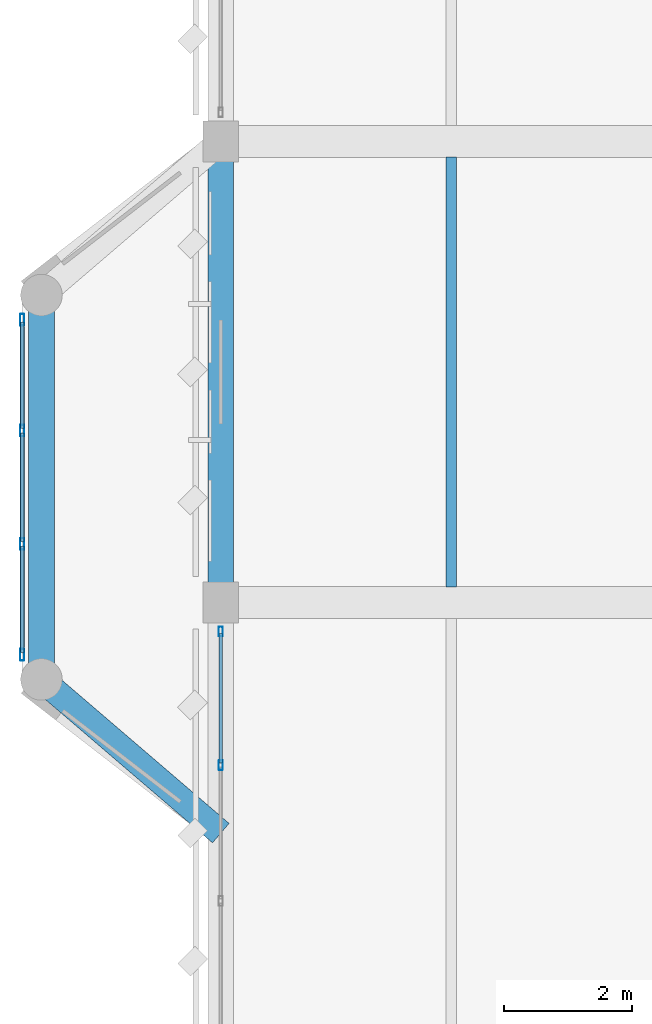
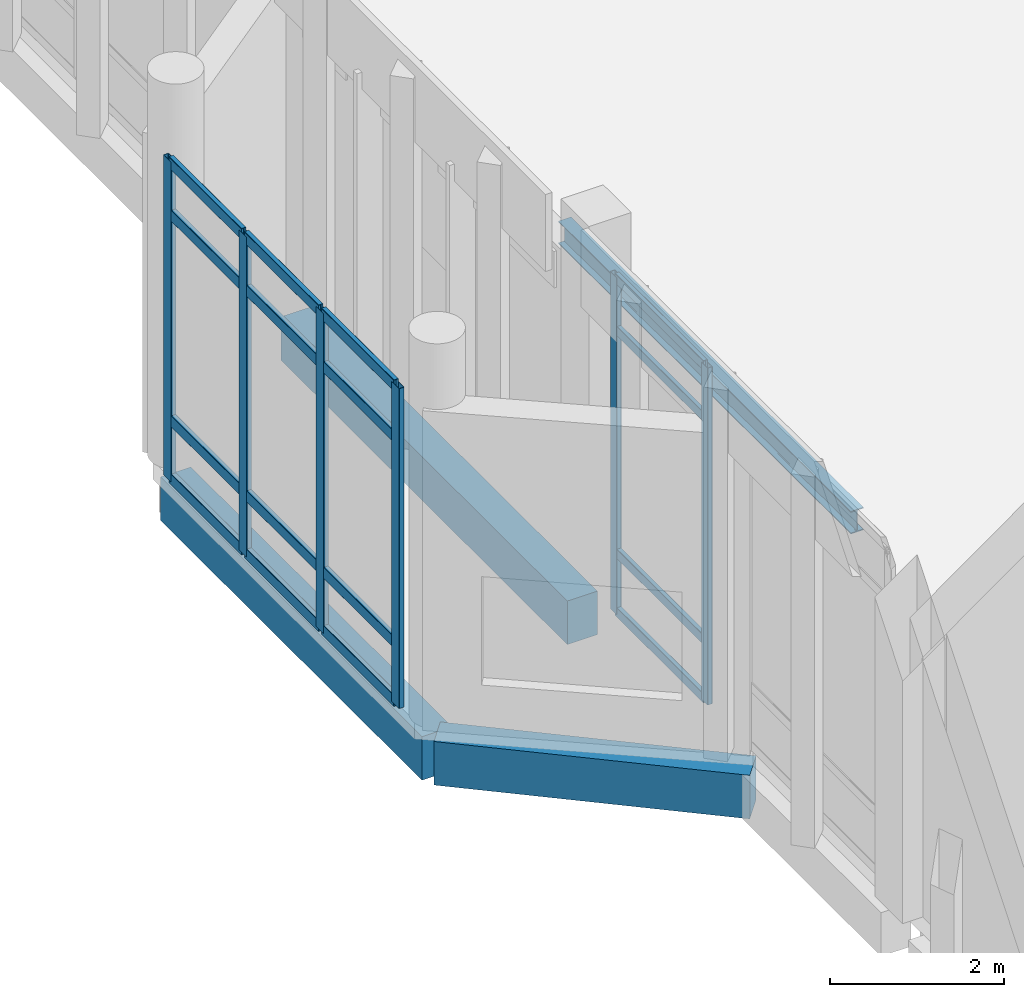
# One storey, part 58 of 180: 22 members, 4 beams, 2 elements without a shape of their own.
"""IFC4 building model written with IfcOpenShell, lengths in metres."""

from ifc_helpers import new_model, si_unit, direction, frame, origin, origin_2d, place, context, subcontext, project, spatial, rectangle, hollow_rectangle, i_section, extrude, material, material_profile, profile_set, type_object, element, aggregate, save


model = new_model("IFC4")

# Units and contexts
model_context = context("Model", 3, precision=1e-05, world=origin(), true_north=direction((0.0, 1.0)))
body_context = subcontext(model_context, "Body", "Model", "MODEL_VIEW")
ifc_project = project(units=[si_unit("LENGTHUNIT", "METRE"), si_unit("AREAUNIT", "SQUARE_METRE"), si_unit("VOLUMEUNIT", "CUBIC_METRE"), si_unit("PLANEANGLEUNIT", "RADIAN"), si_unit("MASSUNIT", "GRAM", prefix="KILO")], contexts=[model_context])

# Site, building, storey
site_placement = place(None, origin())
site = spatial("IfcSite", under=ifc_project, at=site_placement, CompositionType="ELEMENT")
building_placement = place(site_placement, origin())
building = spatial("IfcBuilding", under=site, at=building_placement, Name="Lusvemor Sports Hall", CompositionType="ELEMENT")
storey_placement = place(building_placement, frame((0.0, 0.0, 5.39990234375)))
storey = spatial("IfcBuildingStorey", under=building, at=storey_placement, Name="L01", CompositionType="ELEMENT", Elevation=5.39990234375)

# Curtain wall, members
ifc_material_1 = material(Name="Thermally broken bronze-anodized aluminium", Category="aluminium")
curtain_wall_type_1 = type_object("IfcCurtainWallType", Name="CW_FOYER_A", PredefinedType="NOTDEFINED", material=ifc_material_1)
curtain_wall_1_placement = place(storey_placement, origin())
curtain_wall_1 = element("IfcCurtainWall", 1, at=curtain_wall_1_placement, inside=storey, type_object=curtain_wall_type_1, Name="Curtain Wall CW-BOW-W2-L01-M", PredefinedType="NOTDEFINED")
ifc_material_2 = material(Name="Thermally broken bronze-anodized aluminium", Category="aluminium")
ifc_material_profile_1 = material_profile(ifc_material_2, hollow_rectangle(XDim=0.070068359375, YDim=0.179931640625, WallThickness=0.0048828125, InnerFilletRadius=0.0048828125, OuterFilletRadius=0.010009765625, at=origin_2d()), Name="CWMUL180x70x5")
ifc_profile_set_1 = profile_set([ifc_material_profile_1], Name="Thermally broken bronze-anodized aluminium")
member_type_1 = type_object("IfcMemberType", Name="CW_MUL_A", PredefinedType="MULLION", material=ifc_profile_set_1)
member_1_placement = place(storey_placement, frame((-3.10009765625, 81.985107421875, 0.0), z_axis=(0.0, 0.0, 1.0), x_axis=(-1.0, 0.0, 0.0)))
member_1 = element("IfcMember", 2, at=member_1_placement, type_object=member_type_1, Name="CW01 mullion 1", PredefinedType="MULLION", context=body_context, shape_type="SweptSolid", body=[
    extrude(hollow_rectangle(XDim=0.070068359375, YDim=0.179931640625, WallThickness=0.0048828125, InnerFilletRadius=0.0048828125, OuterFilletRadius=0.010009765625, at=origin_2d()), origin(), (0.0, 0.0, 1.0), 4.47998046875),
])
member_2_placement = place(storey_placement, frame((-3.10009765625, 83.716552734375, 0.0), z_axis=(0.0, 0.0, 1.0), x_axis=(-1.0, 0.0, 0.0)))
member_2 = element("IfcMember", 3, at=member_2_placement, type_object=member_type_1, Name="CW01 mullion 2", PredefinedType="MULLION", context=body_context, shape_type="SweptSolid", body=[
    extrude(hollow_rectangle(XDim=0.070068359375, YDim=0.179931640625, WallThickness=0.0048828125, InnerFilletRadius=0.0048828125, OuterFilletRadius=0.010009765625, at=origin_2d()), origin(), (0.0, 0.0, 1.0), 4.47998046875),
])
member_3_placement = place(storey_placement, frame((-3.10009765625, 85.4833984375, 0.0), z_axis=(0.0, 0.0, 1.0), x_axis=(-1.0, 0.0, 0.0)))
member_3 = element("IfcMember", 4, at=member_3_placement, type_object=member_type_1, Name="CW01 mullion 3", PredefinedType="MULLION", context=body_context, shape_type="SweptSolid", body=[
    extrude(hollow_rectangle(XDim=0.070068359375, YDim=0.179931640625, WallThickness=0.0048828125, InnerFilletRadius=0.0048828125, OuterFilletRadius=0.010009765625, at=origin_2d()), origin(), (0.0, 0.0, 1.0), 4.47998046875),
])
member_4_placement = place(storey_placement, frame((-3.10009765625, 87.215087890625, 0.0), z_axis=(0.0, 0.0, 1.0), x_axis=(-1.0, 0.0, 0.0)))
member_4 = element("IfcMember", 5, at=member_4_placement, type_object=member_type_1, Name="CW01 mullion 4", PredefinedType="MULLION", context=body_context, shape_type="SweptSolid", body=[
    extrude(hollow_rectangle(XDim=0.070068359375, YDim=0.179931640625, WallThickness=0.0048828125, InnerFilletRadius=0.0048828125, OuterFilletRadius=0.010009765625, at=origin_2d()), origin(), (0.0, 0.0, 1.0), 4.47998046875),
])

ifc_material_3 = material(Name="Thermally broken bronze-anodized aluminium", Category="aluminium")
curtain_wall_type_2 = type_object("IfcCurtainWallType", Name="CW_WING_B", PredefinedType="NOTDEFINED", material=ifc_material_3)
curtain_wall_2_placement = place(storey_placement, origin())
curtain_wall_2 = element("IfcCurtainWall", 6, at=curtain_wall_2_placement, inside=storey, type_object=curtain_wall_type_2, Name="Curtain Wall CW-L01-W-0-4", PredefinedType="NOTDEFINED")
ifc_material_4 = material(Name="Thermally broken bronze-anodized aluminium", Category="aluminium")
ifc_material_profile_2 = material_profile(ifc_material_4, hollow_rectangle(XDim=0.06494140625, YDim=0.14990234375, WallThickness=0.00390625, InnerFilletRadius=0.00390625, OuterFilletRadius=0.008056640625, at=origin_2d()), Name="CWMUL150x65x4")
ifc_profile_set_2 = profile_set([ifc_material_profile_2], Name="Thermally broken bronze-anodized aluminium")
member_type_2 = type_object("IfcMemberType", Name="CW_MUL_B", PredefinedType="MULLION", material=ifc_profile_set_2)
member_5_placement = place(storey_placement, frame((0.0, 80.260009765625, 0.0), z_axis=(0.0, 0.0, 1.0), x_axis=(-1.0, 0.0, 0.0)))
member_5 = element("IfcMember", 7, at=member_5_placement, type_object=member_type_2, Name="CW02 mullion 3", PredefinedType="MULLION", context=body_context, shape_type="SweptSolid", body=[
    extrude(hollow_rectangle(XDim=0.06494140625, YDim=0.14990234375, WallThickness=0.00390625, InnerFilletRadius=0.00390625, OuterFilletRadius=0.008056640625, at=origin_2d()), origin(), (0.0, 0.0, 1.0), 4.72021484375),
])
member_6_placement = place(storey_placement, frame((0.0, 82.347412109375, 0.0), z_axis=(0.0, 0.0, 1.0), x_axis=(-1.0, 0.0, 0.0)))
member_6 = element("IfcMember", 8, at=member_6_placement, type_object=member_type_2, Name="CW02 mullion 4", PredefinedType="MULLION", context=body_context, shape_type="SweptSolid", body=[
    extrude(hollow_rectangle(XDim=0.06494140625, YDim=0.14990234375, WallThickness=0.00390625, InnerFilletRadius=0.00390625, OuterFilletRadius=0.008056640625, at=origin_2d()), origin(), (0.0, 0.0, 1.0), 4.72021484375),
])

# Member
ifc_material_5 = material(Name="Thermally broken bronze-anodized aluminium", Category="aluminium")
ifc_material_profile_3 = material_profile(ifc_material_5, hollow_rectangle(XDim=0.06494140625, YDim=0.159912109375, WallThickness=0.00390625, InnerFilletRadius=0.00390625, OuterFilletRadius=0.008056640625, at=origin_2d()), Name="CWTRN160x65x4")
ifc_profile_set_3 = profile_set([ifc_material_profile_3], Name="Thermally broken bronze-anodized aluminium")
member_type_3 = type_object("IfcMemberType", Name="CW_TRN_A", PredefinedType="USERDEFINED", material=ifc_profile_set_3)
member_7_placement = place(storey_placement, frame((-3.10009765625, 82.02001953125, 0.03271484375), z_axis=(0.0, 1.0, 0.0), x_axis=(-1.0, 0.0, 0.0)))
member_7 = element("IfcMember", 9, at=member_7_placement, type_object=member_type_3, Name="CW01 transom 1.1", ObjectType="TRANSOM", PredefinedType="USERDEFINED", context=body_context, shape_type="SweptSolid", body=[
    extrude(hollow_rectangle(XDim=0.06494140625, YDim=0.159912109375, WallThickness=0.00390625, InnerFilletRadius=0.00390625, OuterFilletRadius=0.008056640625, at=origin_2d()), origin(), (0.0, 0.0, 1.0), 1.66162109375),
])

member_8_placement = place(storey_placement, frame((-3.10009765625, 82.02001953125, 0.85009765625), z_axis=(0.0, 1.0, 0.0), x_axis=(-1.0, 0.0, 0.0)))
member_8 = element("IfcMember", 10, at=member_8_placement, type_object=member_type_3, Name="CW01 transom 1.2", ObjectType="TRANSOM", PredefinedType="USERDEFINED", context=body_context, shape_type="SweptSolid", body=[
    extrude(hollow_rectangle(XDim=0.06494140625, YDim=0.159912109375, WallThickness=0.00390625, InnerFilletRadius=0.00390625, OuterFilletRadius=0.008056640625, at=origin_2d()), origin(), (0.0, 0.0, 1.0), 1.66162109375),
])

member_9_placement = place(storey_placement, frame((-3.10009765625, 82.02001953125, 3.72998046875), z_axis=(0.0, 1.0, 0.0), x_axis=(-1.0, 0.0, 0.0)))
member_9 = element("IfcMember", 11, at=member_9_placement, type_object=member_type_3, Name="CW01 transom 1.3", ObjectType="TRANSOM", PredefinedType="USERDEFINED", context=body_context, shape_type="SweptSolid", body=[
    extrude(hollow_rectangle(XDim=0.06494140625, YDim=0.159912109375, WallThickness=0.00390625, InnerFilletRadius=0.00390625, OuterFilletRadius=0.008056640625, at=origin_2d()), origin(), (0.0, 0.0, 1.0), 1.66162109375),
])

member_10_placement = place(storey_placement, frame((-3.10009765625, 82.02001953125, 4.447509765625), z_axis=(0.0, 1.0, 0.0), x_axis=(-1.0, 0.0, 0.0)))
member_10 = element("IfcMember", 12, at=member_10_placement, type_object=member_type_3, Name="CW01 transom 1.4", ObjectType="TRANSOM", PredefinedType="USERDEFINED", context=body_context, shape_type="SweptSolid", body=[
    extrude(hollow_rectangle(XDim=0.06494140625, YDim=0.159912109375, WallThickness=0.00390625, InnerFilletRadius=0.00390625, OuterFilletRadius=0.008056640625, at=origin_2d()), origin(), (0.0, 0.0, 1.0), 1.66162109375),
])

member_11_placement = place(storey_placement, frame((-3.10009765625, 83.751708984375, 0.03271484375), z_axis=(0.0, 1.0, 0.0), x_axis=(-1.0, 0.0, 0.0)))
member_11 = element("IfcMember", 13, at=member_11_placement, type_object=member_type_3, Name="CW01 transom 2.1", ObjectType="TRANSOM", PredefinedType="USERDEFINED", context=body_context, shape_type="SweptSolid", body=[
    extrude(hollow_rectangle(XDim=0.06494140625, YDim=0.159912109375, WallThickness=0.00390625, InnerFilletRadius=0.00390625, OuterFilletRadius=0.008056640625, at=origin_2d()), origin(), (0.0, 0.0, 1.0), 1.696533203125),
])

member_12_placement = place(storey_placement, frame((-3.10009765625, 83.751708984375, 0.85009765625), z_axis=(0.0, 1.0, 0.0), x_axis=(-1.0, 0.0, 0.0)))
member_12 = element("IfcMember", 14, at=member_12_placement, type_object=member_type_3, Name="CW01 transom 2.2", ObjectType="TRANSOM", PredefinedType="USERDEFINED", context=body_context, shape_type="SweptSolid", body=[
    extrude(hollow_rectangle(XDim=0.06494140625, YDim=0.159912109375, WallThickness=0.00390625, InnerFilletRadius=0.00390625, OuterFilletRadius=0.008056640625, at=origin_2d()), origin(), (0.0, 0.0, 1.0), 1.696533203125),
])

member_13_placement = place(storey_placement, frame((-3.10009765625, 83.751708984375, 3.72998046875), z_axis=(0.0, 1.0, 0.0), x_axis=(-1.0, 0.0, 0.0)))
member_13 = element("IfcMember", 15, at=member_13_placement, type_object=member_type_3, Name="CW01 transom 2.3", ObjectType="TRANSOM", PredefinedType="USERDEFINED", context=body_context, shape_type="SweptSolid", body=[
    extrude(hollow_rectangle(XDim=0.06494140625, YDim=0.159912109375, WallThickness=0.00390625, InnerFilletRadius=0.00390625, OuterFilletRadius=0.008056640625, at=origin_2d()), origin(), (0.0, 0.0, 1.0), 1.696533203125),
])

member_14_placement = place(storey_placement, frame((-3.10009765625, 83.751708984375, 4.447509765625), z_axis=(0.0, 1.0, 0.0), x_axis=(-1.0, 0.0, 0.0)))
member_14 = element("IfcMember", 16, at=member_14_placement, type_object=member_type_3, Name="CW01 transom 2.4", ObjectType="TRANSOM", PredefinedType="USERDEFINED", context=body_context, shape_type="SweptSolid", body=[
    extrude(hollow_rectangle(XDim=0.06494140625, YDim=0.159912109375, WallThickness=0.00390625, InnerFilletRadius=0.00390625, OuterFilletRadius=0.008056640625, at=origin_2d()), origin(), (0.0, 0.0, 1.0), 1.696533203125),
])

member_15_placement = place(storey_placement, frame((-3.10009765625, 85.518310546875, 0.03271484375), z_axis=(0.0, 1.0, 0.0), x_axis=(-1.0, 0.0, 0.0)))
member_15 = element("IfcMember", 17, at=member_15_placement, type_object=member_type_3, Name="CW01 transom 3.1", ObjectType="TRANSOM", PredefinedType="USERDEFINED", context=body_context, shape_type="SweptSolid", body=[
    extrude(hollow_rectangle(XDim=0.06494140625, YDim=0.159912109375, WallThickness=0.00390625, InnerFilletRadius=0.00390625, OuterFilletRadius=0.008056640625, at=origin_2d()), origin(), (0.0, 0.0, 1.0), 1.66162109375),
])

member_16_placement = place(storey_placement, frame((-3.10009765625, 85.518310546875, 0.85009765625), z_axis=(0.0, 1.0, 0.0), x_axis=(-1.0, 0.0, 0.0)))
member_16 = element("IfcMember", 18, at=member_16_placement, type_object=member_type_3, Name="CW01 transom 3.2", ObjectType="TRANSOM", PredefinedType="USERDEFINED", context=body_context, shape_type="SweptSolid", body=[
    extrude(hollow_rectangle(XDim=0.06494140625, YDim=0.159912109375, WallThickness=0.00390625, InnerFilletRadius=0.00390625, OuterFilletRadius=0.008056640625, at=origin_2d()), origin(), (0.0, 0.0, 1.0), 1.66162109375),
])

member_17_placement = place(storey_placement, frame((-3.10009765625, 85.518310546875, 3.72998046875), z_axis=(0.0, 1.0, 0.0), x_axis=(-1.0, 0.0, 0.0)))
member_17 = element("IfcMember", 19, at=member_17_placement, type_object=member_type_3, Name="CW01 transom 3.3", ObjectType="TRANSOM", PredefinedType="USERDEFINED", context=body_context, shape_type="SweptSolid", body=[
    extrude(hollow_rectangle(XDim=0.06494140625, YDim=0.159912109375, WallThickness=0.00390625, InnerFilletRadius=0.00390625, OuterFilletRadius=0.008056640625, at=origin_2d()), origin(), (0.0, 0.0, 1.0), 1.66162109375),
])

member_18_placement = place(storey_placement, frame((-3.10009765625, 85.518310546875, 4.447509765625), z_axis=(0.0, 1.0, 0.0), x_axis=(-1.0, 0.0, 0.0)))
member_18 = element("IfcMember", 20, at=member_18_placement, type_object=member_type_3, Name="CW01 transom 3.4", ObjectType="TRANSOM", PredefinedType="USERDEFINED", context=body_context, shape_type="SweptSolid", body=[
    extrude(hollow_rectangle(XDim=0.06494140625, YDim=0.159912109375, WallThickness=0.00390625, InnerFilletRadius=0.00390625, OuterFilletRadius=0.008056640625, at=origin_2d()), origin(), (0.0, 0.0, 1.0), 1.66162109375),
])

aggregate(curtain_wall_1, [member_1, member_2, member_3, member_4, member_7, member_8, member_9, member_10, member_11, member_12, member_13, member_14, member_15, member_16, member_17, member_18])

ifc_material_6 = material(Name="Thermally broken bronze-anodized aluminium", Category="aluminium")
ifc_material_profile_4 = material_profile(ifc_material_6, hollow_rectangle(XDim=0.06005859375, YDim=0.135009765625, WallThickness=0.00390625, InnerFilletRadius=0.00390625, OuterFilletRadius=0.008056640625, at=origin_2d()), Name="CWTRN135x60x4")
ifc_profile_set_4 = profile_set([ifc_material_profile_4], Name="Thermally broken bronze-anodized aluminium")
member_type_4 = type_object("IfcMemberType", Name="CW_TRN_B", PredefinedType="USERDEFINED", material=ifc_profile_set_4)
member_19_placement = place(storey_placement, frame((0.0, 80.29248046875, 0.030029296875), z_axis=(0.0, 1.0, 0.0), x_axis=(-1.0, 0.0, 0.0)))
member_19 = element("IfcMember", 21, at=member_19_placement, type_object=member_type_4, Name="CW02 transom 3.1", ObjectType="TRANSOM", PredefinedType="USERDEFINED", context=body_context, shape_type="SweptSolid", body=[
    extrude(hollow_rectangle(XDim=0.06005859375, YDim=0.135009765625, WallThickness=0.00390625, InnerFilletRadius=0.00390625, OuterFilletRadius=0.008056640625, at=origin_2d()), origin(), (0.0, 0.0, 1.0), 2.0224609375),
])

member_20_placement = place(storey_placement, frame((0.0, 80.29248046875, 0.85009765625), z_axis=(0.0, 1.0, 0.0), x_axis=(-1.0, 0.0, 0.0)))
member_20 = element("IfcMember", 22, at=member_20_placement, type_object=member_type_4, Name="CW02 transom 3.2", ObjectType="TRANSOM", PredefinedType="USERDEFINED", context=body_context, shape_type="SweptSolid", body=[
    extrude(hollow_rectangle(XDim=0.06005859375, YDim=0.135009765625, WallThickness=0.00390625, InnerFilletRadius=0.00390625, OuterFilletRadius=0.008056640625, at=origin_2d()), origin(), (0.0, 0.0, 1.0), 2.0224609375),
])

member_21_placement = place(storey_placement, frame((0.0, 80.29248046875, 3.97021484375), z_axis=(0.0, 1.0, 0.0), x_axis=(-1.0, 0.0, 0.0)))
member_21 = element("IfcMember", 23, at=member_21_placement, type_object=member_type_4, Name="CW02 transom 3.3", ObjectType="TRANSOM", PredefinedType="USERDEFINED", context=body_context, shape_type="SweptSolid", body=[
    extrude(hollow_rectangle(XDim=0.06005859375, YDim=0.135009765625, WallThickness=0.00390625, InnerFilletRadius=0.00390625, OuterFilletRadius=0.008056640625, at=origin_2d()), origin(), (0.0, 0.0, 1.0), 2.0224609375),
])

member_22_placement = place(storey_placement, frame((0.0, 80.29248046875, 4.690185546875), z_axis=(0.0, 1.0, 0.0), x_axis=(-1.0, 0.0, 0.0)))
member_22 = element("IfcMember", 24, at=member_22_placement, type_object=member_type_4, Name="CW02 transom 3.4", ObjectType="TRANSOM", PredefinedType="USERDEFINED", context=body_context, shape_type="SweptSolid", body=[
    extrude(hollow_rectangle(XDim=0.06005859375, YDim=0.135009765625, WallThickness=0.00390625, InnerFilletRadius=0.00390625, OuterFilletRadius=0.008056640625, at=origin_2d()), origin(), (0.0, 0.0, 1.0), 2.0224609375),
])

aggregate(curtain_wall_2, [member_5, member_6, member_19, member_20, member_21, member_22])

# Beams
ifc_material_7 = material(Name="Steel S355", Category="steel")
ifc_material_profile_5 = material_profile(ifc_material_7, i_section(OverallWidth=0.1669921875, OverallDepth=0.31689453125, WebThickness=0.007568359375, FlangeThickness=0.01318359375, FilletRadius=0.014892578125, at=origin_2d()), Name="W310x52.0")
ifc_profile_set_5 = profile_set([ifc_material_profile_5], Name="Steel S355")
beam_type_1 = type_object("IfcBeamType", Name="JOIST_ST_310M", PredefinedType="JOIST", material=ifc_profile_set_5)
beam_1_placement = place(storey_placement, frame((3.60009765625, 83.0458984375, -0.42236328125), z_axis=(0.0, 1.0, 0.0), x_axis=(-1.0, 0.0, 0.0)))
element("IfcBeam", 25, at=beam_1_placement, inside=storey, type_object=beam_type_1, Name="Secondary Joist L01 1-2/L-M #1", PredefinedType="JOIST", context=body_context, shape_type="SweptSolid", body=[
    extrude(i_section(OverallWidth=0.1669921875, OverallDepth=0.31689453125, WebThickness=0.007568359375, FlangeThickness=0.01318359375, FilletRadius=0.014892578125, at=origin_2d()), origin(), (0.0, 0.0, 1.0), 6.7080078125),
])
ifc_material_8 = material(Name="Concrete C40/50", Category="concrete")
ifc_material_profile_6 = material_profile(ifc_material_8, rectangle(XDim=0.39990234375, YDim=0.610107421875, at=origin_2d()), Name="RC400x610")
ifc_profile_set_6 = profile_set([ifc_material_profile_6], Name="Concrete C40/50")
beam_type_2 = type_object("IfcBeamType", Name="SPAND_EXT_650", PredefinedType="SPANDREL", material=ifc_profile_set_6)
beam_2_placement = place(storey_placement, frame((0.0, 83.115966796875, -0.56494140625), z_axis=(0.0, 1.0, 0.0), x_axis=(-1.0, 0.0, 0.0)))
element("IfcBeam", 26, at=beam_2_placement, inside=storey, type_object=beam_type_2, Name="Beam L01 1:L-M", PredefinedType="SPANDREL", context=body_context, shape_type="SweptSolid", body=[
    extrude(rectangle(XDim=0.39990234375, YDim=0.610107421875, at=origin_2d()), origin(), (0.0, 0.0, 1.0), 6.568115234375),
])
beam_3_placement = place(storey_placement, frame((0.0, 79.199951171875, -0.56494140625), z_axis=(-0.759242583462, 0.650807728487, 0.0), x_axis=(-0.650807728487, -0.759242583462, 0.0)))
element("IfcBeam", 27, at=beam_3_placement, inside=storey, type_object=beam_type_2, Name="Bow Pavilion Edge Beam BOW-W2 L01-1", PredefinedType="SPANDREL", context=body_context, shape_type="SweptSolid", body=[
    extrude(rectangle(XDim=0.39990234375, YDim=0.610107421875, at=origin_2d()), origin(), (0.0, 0.0, 1.0), 3.68798828125),
])
beam_4_placement = place(storey_placement, frame((-2.800048828125, 81.60009765625, -0.56494140625), z_axis=(0.0, 1.0, 0.0), x_axis=(-1.0, 0.0, 0.0)))
element("IfcBeam", 28, at=beam_4_placement, inside=storey, type_object=beam_type_2, Name="Bow Pavilion Edge Beam BOW-W2 L01-2", PredefinedType="SPANDREL", context=body_context, shape_type="SweptSolid", body=[
    extrude(rectangle(XDim=0.39990234375, YDim=0.610107421875, at=origin_2d()), origin(), (0.0, 0.0, 1.0), 6.0),
])

save(model, "model.ifc")
